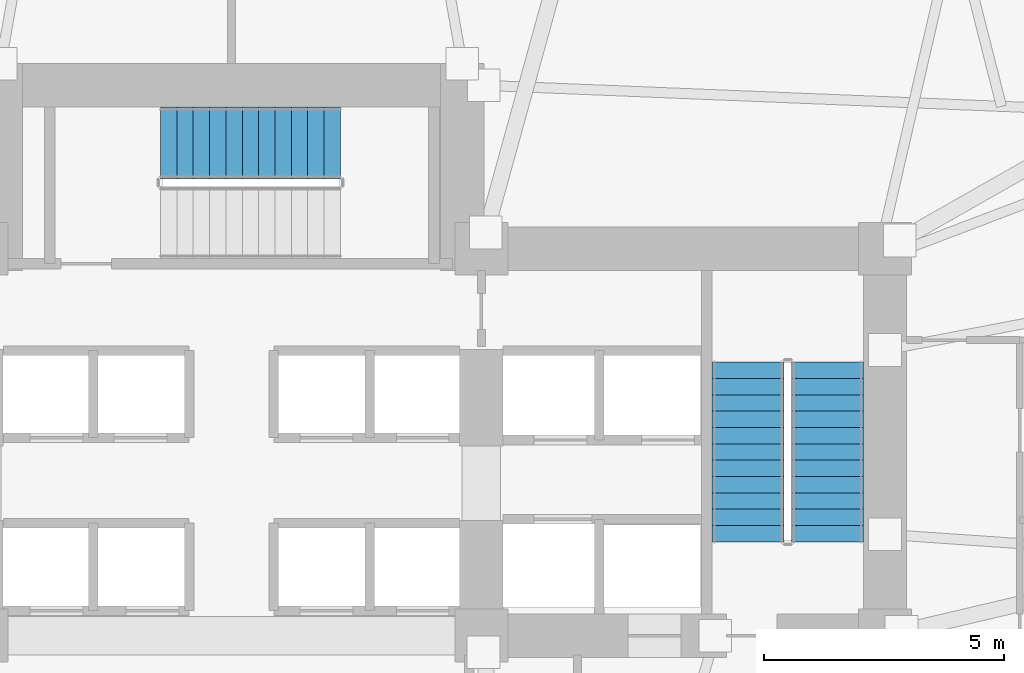
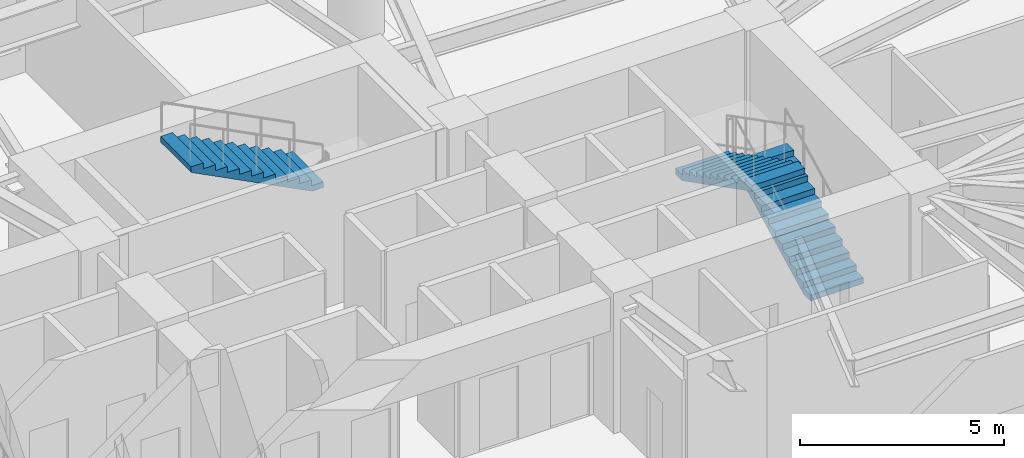
# One storey, part 13 of 18: 3 stair flights, 2 elements without a shape of their own.
"""IFC4 building model written with IfcOpenShell, lengths in metres."""

from ifc_helpers import new_model, si_unit, direction, frame, origin, place, context, subcontext, project, spatial, polyline, outline, extrude, material, type_object, element, aggregate, save


model = new_model("IFC4")

# Units and contexts
model_context = context("Model", 3, precision=1e-05, world=origin(), true_north=direction((0.0, 1.0)))
body_context = subcontext(model_context, "Body", "Model", "MODEL_VIEW")
ifc_project = project(units=[si_unit("LENGTHUNIT", "METRE"), si_unit("AREAUNIT", "SQUARE_METRE"), si_unit("VOLUMEUNIT", "CUBIC_METRE"), si_unit("PLANEANGLEUNIT", "RADIAN"), si_unit("MASSUNIT", "GRAM", prefix="KILO")], contexts=[model_context])

# Site, building, storey
site_placement = place(None, origin())
site = spatial("IfcSite", under=ifc_project, at=site_placement, CompositionType="ELEMENT")
building_placement = place(site_placement, origin())
building = spatial("IfcBuilding", under=site, at=building_placement, Name="Keldmark Tower", CompositionType="ELEMENT")
storey_placement = place(building_placement, frame((0.0, 0.0, 6.0)))
storey = spatial("IfcBuildingStorey", under=building, at=storey_placement, Name="L01", CompositionType="ELEMENT", Elevation=6.0)

# Stair, stair flights
ifc_material_1 = material(Name="Concrete C40/50", Category="concrete")
stair_type = type_object("IfcStairType", Name="Precast Concrete Core Exit Stair", PredefinedType="HALF_TURN_STAIR", material=ifc_material_1)
stair_1_placement = place(storey_placement, origin())
stair_1 = element("IfcStair", 1, at=stair_1_placement, inside=storey, type_object=stair_type, Name="L01 Exit Stair ST2", PredefinedType="HALF_TURN_STAIR")
ifc_material_2 = material(Name="Concrete C40/50", Category="concrete")
stair_flight_type = type_object("IfcStairFlightType", Name="Precast Concrete Stair Flight 1500 mm", PredefinedType="STRAIGHT", material=ifc_material_2)
stair_flight_1_placement = place(storey_placement, frame((12.39990234375, 3.35009765625, 0.0), z_axis=(0.0, 0.0, 1.0), x_axis=(0.0, 1.0, 0.0)))
stair_flight_1 = element("IfcStairFlight", 2, at=stair_flight_1_placement, type_object=stair_flight_type, Name="ST2 flight 1", NumberOfRisers=12, NumberOfTreads=11, PredefinedType="STRAIGHT", RiserHeight=0.175, TreadLength=0.34, context=body_context, shape_type="SweptSolid", body=[
    extrude(outline(polyline([(0.0, 0.0), (0.0, 0.175048828125), (0.340087890625, 0.175048828125), (0.340087890625, 0.35009765625), (0.679931640625, 0.35009765625), (0.679931640625, 0.52490234375), (1.02001953125, 0.52490234375), (1.02001953125, 0.699951171875), (1.360107421875, 0.699951171875), (1.360107421875, 0.875), (1.699951171875, 0.875), (1.699951171875, 1.050048828125), (2.0400390625, 1.050048828125), (2.0400390625, 1.22509765625), (2.3798828125, 1.22509765625), (2.3798828125, 1.39990234375), (2.719970703125, 1.39990234375), (2.719970703125, 1.574951171875), (3.06005859375, 1.574951171875), (3.06005859375, 1.75), (3.39990234375, 1.75), (3.39990234375, 1.925048828125), (3.739990234375, 1.925048828125), (3.739990234375, 2.10009765625), (3.739990234375, 1.75634765625), (0.32763671875, 0.0), (0.0, 0.0)])), frame((0.0, 0.75, 0.0), z_axis=(0.0, -1.0, 0.0), x_axis=(1.0, 0.0, 0.0)), (0.0, 0.0, 1.0), 1.5),
])
stair_flight_2_placement = place(storey_placement, frame((10.75, 7.090087890625, 2.10009765625), z_axis=(0.0, 0.0, 1.0), x_axis=(0.0, -1.0, 0.0)))
stair_flight_2 = element("IfcStairFlight", 3, at=stair_flight_2_placement, type_object=stair_flight_type, Name="ST2 flight 2", NumberOfRisers=12, NumberOfTreads=11, PredefinedType="STRAIGHT", RiserHeight=0.175, TreadLength=0.34, context=body_context, shape_type="SweptSolid", body=[
    extrude(outline(polyline([(0.0, 0.0), (0.0, 0.175048828125), (0.340087890625, 0.175048828125), (0.340087890625, 0.35009765625), (0.679931640625, 0.35009765625), (0.679931640625, 0.52490234375), (1.02001953125, 0.52490234375), (1.02001953125, 0.699951171875), (1.360107421875, 0.699951171875), (1.360107421875, 0.875), (1.699951171875, 0.875), (1.699951171875, 1.050048828125), (2.0400390625, 1.050048828125), (2.0400390625, 1.22509765625), (2.3798828125, 1.22509765625), (2.3798828125, 1.39990234375), (2.719970703125, 1.39990234375), (2.719970703125, 1.574951171875), (3.06005859375, 1.574951171875), (3.06005859375, 1.75), (3.39990234375, 1.75), (3.39990234375, 1.925048828125), (3.739990234375, 1.925048828125), (3.739990234375, 2.10009765625), (3.739990234375, 1.75634765625), (0.32763671875, 0.0), (0.0, 0.0)])), frame((0.0, 0.75, 0.0), z_axis=(0.0, -1.0, 0.0), x_axis=(1.0, 0.0, 0.0)), (0.0, 0.0, 1.0), 1.5),
])
aggregate(stair_1, [stair_flight_1, stair_flight_2])

# Stair, stair flight
stair_2_placement = place(storey_placement, origin())
stair_2 = element("IfcStair", 4, at=stair_2_placement, inside=storey, type_object=stair_type, Name="L01 Exit Stair ST3", PredefinedType="HALF_TURN_STAIR")
stair_flight_3_placement = place(storey_placement, frame((2.264892578125, 11.64990234375, 2.10009765625), z_axis=(0.0, 0.0, 1.0), x_axis=(-1.0, 0.0, 0.0)))
stair_flight_3 = element("IfcStairFlight", 5, at=stair_flight_3_placement, type_object=stair_flight_type, Name="ST3 flight 2", NumberOfRisers=12, NumberOfTreads=11, PredefinedType="STRAIGHT", RiserHeight=0.175, TreadLength=0.34, context=body_context, shape_type="SweptSolid", body=[
    extrude(outline(polyline([(0.0, 0.0), (0.0, 0.175048828125), (0.340087890625, 0.175048828125), (0.340087890625, 0.35009765625), (0.679931640625, 0.35009765625), (0.679931640625, 0.52490234375), (1.02001953125, 0.52490234375), (1.02001953125, 0.699951171875), (1.360107421875, 0.699951171875), (1.360107421875, 0.875), (1.699951171875, 0.875), (1.699951171875, 1.050048828125), (2.0400390625, 1.050048828125), (2.0400390625, 1.22509765625), (2.3798828125, 1.22509765625), (2.3798828125, 1.39990234375), (2.719970703125, 1.39990234375), (2.719970703125, 1.574951171875), (3.06005859375, 1.574951171875), (3.06005859375, 1.75), (3.39990234375, 1.75), (3.39990234375, 1.925048828125), (3.739990234375, 1.925048828125), (3.739990234375, 2.10009765625), (3.739990234375, 1.75634765625), (0.32763671875, 0.0), (0.0, 0.0)])), frame((0.0, 0.75, 0.0), z_axis=(0.0, -1.0, 0.0), x_axis=(1.0, 0.0, 0.0)), (0.0, 0.0, 1.0), 1.5),
])
aggregate(stair_2, [stair_flight_3])

save(model, "model.ifc")
